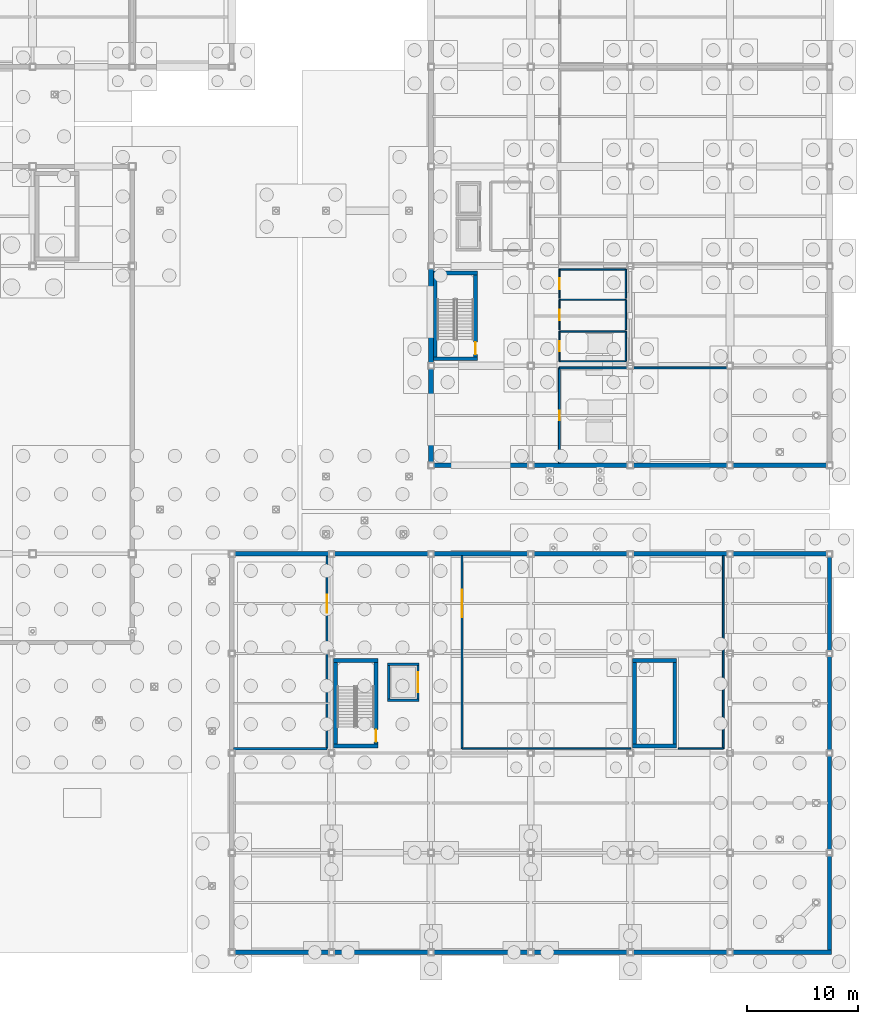
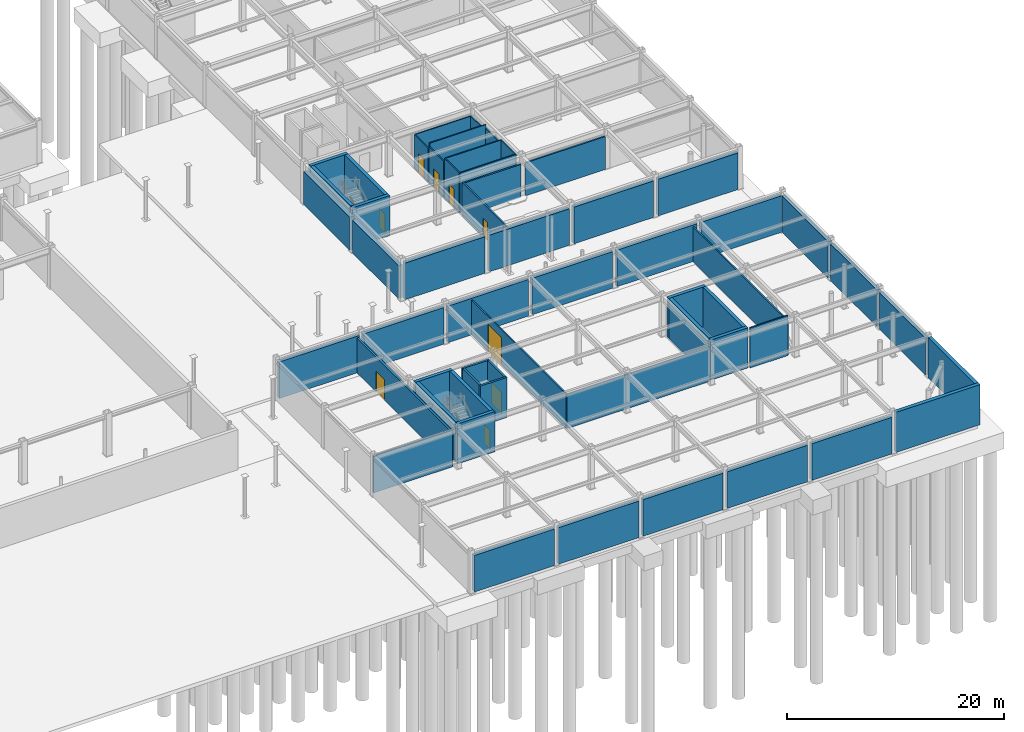
# One storey, part 56 of 74: 57 walls, 9 doors, 9 openings.
"""IFC4 building model written with IfcOpenShell, lengths in metres."""

from ifc_helpers import new_model, si_unit, direction, frame, frame_2d, origin, place, context, subcontext, project, spatial, rectangle, extrude, material, layer, layer_set, type_object, element, fill, save


model = new_model("IFC4")

# Units and contexts
model_context = context("Model", 3, precision=1e-05, world=origin(), true_north=direction((0.0, 1.0)))
body_context = subcontext(model_context, "Body", "Model", "MODEL_VIEW")
ifc_project = project(units=[si_unit("LENGTHUNIT", "METRE"), si_unit("AREAUNIT", "SQUARE_METRE"), si_unit("VOLUMEUNIT", "CUBIC_METRE"), si_unit("PLANEANGLEUNIT", "RADIAN"), si_unit("MASSUNIT", "GRAM", prefix="KILO")], contexts=[model_context])

# Site, building, storey
site_placement = place(None, origin())
site = spatial("IfcSite", under=ifc_project, at=site_placement, CompositionType="ELEMENT")
building_placement = place(site_placement, origin())
building = spatial("IfcBuilding", under=site, at=building_placement, Name="Suzunagisa Mobility Hub", CompositionType="ELEMENT")
storey_placement = place(building_placement, frame((0.0, 0.0, -4.800048828125)))
storey = spatial("IfcBuildingStorey", under=building, at=storey_placement, Name="B1", CompositionType="ELEMENT", Elevation=-4.800048828125)

# Walls
ifc_material_1 = material(Name="Concrete C35/45", Category="concrete")
ifc_layer_1 = layer(ifc_material_1, 0.419921875)
ifc_layer_set_1 = layer_set([ifc_layer_1], Name="Concrete C35/45")
wall_type_1 = type_object("IfcWallType", Name="Exterior Wall EW-02 420mm", PredefinedType="USERDEFINED", material=ifc_layer_set_1)
for number, where, z_axis, x_axis, name in (
    (1, (144.25, 44.0, 0.0), (0.0, 0.0, 1.0), (1.0, 0.0, 0.0), "B1 Perimeter Retaining Wall RW-325"),
    (2, (153.25, 44.0, 0.0), (0.0, 0.0, 1.0), (1.0, 0.0, 0.0), "B1 Perimeter Retaining Wall RW-326"),
    (3, (162.25, 44.0, 0.0), (0.0, 0.0, 1.0), (1.0, 0.0, 0.0), "B1 Perimeter Retaining Wall RW-327"),
    (4, (171.25, 44.0, 0.0), (0.0, 0.0, 1.0), (1.0, 0.0, 0.0), "B1 Perimeter Retaining Wall RW-328"),
):
    element("IfcWall", number, at=place(storey_placement, frame(where, z_axis=z_axis, x_axis=x_axis)), inside=storey, type_object=wall_type_1, Name=name, ObjectType="RETAINING WALL", PredefinedType="USERDEFINED", context=body_context, shape_type="SweptSolid", body=[
        extrude(rectangle(XDim=8.5, YDim=0.419921875, at=frame_2d((4.25, 0.0))), origin(), (0.0, 0.0, 1.0), 4.130126953125),
    ])
for number, where, z_axis, x_axis, name in (
    (5, (144.0, 61.75, 0.0), (0.0, 0.0, 1.0), (0.0, -1.0, 0.0), "B1 Perimeter Retaining Wall RW-345"),
    (6, (144.0, 52.75, 0.0), (0.0, 0.0, 1.0), (0.0, -1.0, 0.0), "B1 Perimeter Retaining Wall RW-346"),
):
    element("IfcWall", number, at=place(storey_placement, frame(where, z_axis=z_axis, x_axis=x_axis)), inside=storey, type_object=wall_type_1, Name=name, ObjectType="RETAINING WALL", PredefinedType="USERDEFINED", context=body_context, shape_type="SweptSolid", body=[
        extrude(rectangle(XDim=8.5, YDim=0.419921875, at=frame_2d((4.25, 0.0))), origin(), (0.0, 0.0, 1.0), 3.719970703125),
    ])
ifc_layer_2 = layer(ifc_material_1, 0.3798828125)
ifc_layer_set_2 = layer_set([ifc_layer_2], Name="Concrete C35/45")
wall_type_2 = type_object("IfcWallType", Name="Exterior Wall EW-06 380mm", PredefinedType="USERDEFINED", material=ifc_layer_set_2)
for number, where, z_axis, x_axis, name in (
    (7, (126.22509765625, 0.0, 0.0), (0.0, 0.0, 1.0), (1.0, 0.0, 0.0), "B1 Perimeter Retaining Wall RW-262"),
    (8, (135.22509765625, 0.0, 0.0), (0.0, 0.0, 1.0), (1.0, 0.0, 0.0), "B1 Perimeter Retaining Wall RW-263"),
    (9, (144.22509765625, 0.0, 0.0), (0.0, 0.0, 1.0), (1.0, 0.0, 0.0), "B1 Perimeter Retaining Wall RW-264"),
    (10, (153.22509765625, 0.0, 0.0), (0.0, 0.0, 1.0), (1.0, 0.0, 0.0), "B1 Perimeter Retaining Wall RW-265"),
    (11, (162.22509765625, 0.0, 0.0), (0.0, 0.0, 1.0), (1.0, 0.0, 0.0), "B1 Perimeter Retaining Wall RW-266"),
):
    element("IfcWall", number, at=place(storey_placement, frame(where, z_axis=z_axis, x_axis=x_axis)), inside=storey, type_object=wall_type_2, Name=name, ObjectType="RETAINING WALL", PredefinedType="USERDEFINED", context=body_context, shape_type="SweptSolid", body=[
        extrude(rectangle(XDim=8.5498046875, YDim=0.3798828125, at=frame_2d((4.27490234375, 0.0))), origin(), (0.0, 0.0, 1.0), 4.130126953125),
    ])
wall_1_placement = place(storey_placement, frame((171.22509765625, 0.0, 0.0), z_axis=(0.0, 0.0, 1.0), x_axis=(1.0, 0.0, 0.0)))
element("IfcWall", 12, at=wall_1_placement, inside=storey, type_object=wall_type_2, Name="B1 Perimeter Retaining Wall RW-267", ObjectType="RETAINING WALL", PredefinedType="USERDEFINED", context=body_context, shape_type="SweptSolid", body=[
    extrude(rectangle(XDim=8.96484375, YDim=0.3798828125, at=frame_2d((4.482421875, 0.0))), origin(), (0.0, 0.0, 1.0), 4.52001953125),
])
wall_2_placement = place(storey_placement, frame((180.0, 0.18994140625, 0.0), z_axis=(0.0, 0.0, 1.0), x_axis=(0.0, 1.0, 0.0)))
element("IfcWall", 13, at=wall_2_placement, inside=storey, type_object=wall_type_2, Name="B1 Perimeter Retaining Wall RW-268", ObjectType="RETAINING WALL", PredefinedType="USERDEFINED", context=body_context, shape_type="SweptSolid", body=[
    extrude(rectangle(XDim=8.5849609375, YDim=0.3798828125, at=frame_2d((4.29248046875, 0.0))), origin(), (0.0, 0.0, 1.0), 4.52001953125),
])
for number, where, z_axis, x_axis, name in (
    (14, (180.0, 9.22509765625, 0.0), (0.0, 0.0, 1.0), (0.0, 1.0, 0.0), "B1 Perimeter Retaining Wall RW-269"),
    (15, (180.0, 18.22509765625, 0.0), (0.0, 0.0, 1.0), (0.0, 1.0, 0.0), "B1 Perimeter Retaining Wall RW-270"),
    (16, (180.0, 27.22509765625, 0.0), (0.0, 0.0, 1.0), (0.0, 1.0, 0.0), "B1 Perimeter Retaining Wall RW-271"),
    (17, (179.77490234375, 36.0, 0.0), (0.0, 0.0, 1.0), (-1.0, 0.0, 0.0), "B1 Perimeter Retaining Wall RW-272"),
    (18, (170.77490234375, 36.0, 0.0), (0.0, 0.0, 1.0), (-1.0, 0.0, 0.0), "B1 Perimeter Retaining Wall RW-273"),
    (19, (161.77490234375, 36.0, 0.0), (0.0, 0.0, 1.0), (-1.0, 0.0, 0.0), "B1 Perimeter Retaining Wall RW-274"),
    (20, (152.77490234375, 36.0, 0.0), (0.0, 0.0, 1.0), (-1.0, 0.0, 0.0), "B1 Perimeter Retaining Wall RW-275"),
    (21, (143.77490234375, 36.0, 0.0), (0.0, 0.0, 1.0), (-1.0, 0.0, 0.0), "B1 Perimeter Retaining Wall RW-276"),
    (22, (134.77490234375, 36.0, 0.0), (0.0, 0.0, 1.0), (-1.0, 0.0, 0.0), "B1 Perimeter Retaining Wall RW-277"),
):
    element("IfcWall", number, at=place(storey_placement, frame(where, z_axis=z_axis, x_axis=x_axis)), inside=storey, type_object=wall_type_2, Name=name, ObjectType="RETAINING WALL", PredefinedType="USERDEFINED", context=body_context, shape_type="SweptSolid", body=[
        extrude(rectangle(XDim=8.5498046875, YDim=0.3798828125, at=frame_2d((4.27490234375, 0.0))), origin(), (0.0, 0.0, 1.0), 4.130126953125),
    ])
ifc_material_2 = material(Name="Moisture-Resistant Gypsum Partition", Category="gypsum")
ifc_layer_3 = layer(ifc_material_2, 0.1201171875)
ifc_layer_set_3 = layer_set([ifc_layer_3], Name="Moisture-Resistant Gypsum Partition")
wall_type_3 = type_object("IfcWallType", Name="Interior Wall IW-02 120mm", PredefinedType="PARTITIONING", material=ifc_layer_set_3)
for number, where, z_axis, x_axis, name in (
    (23, (155.60009765625, 53.39990234375, 0.0), (0.0, 0.0, 1.0), (1.0, 0.0, 0.0), "B1 Male Restroom WC B1 Partition PW-565"),
    (24, (155.60009765625, 56.10009765625, 0.0), (0.0, 0.0, 1.0), (1.0, 0.0, 0.0), "B1 Male Restroom WC B1 Partition PW-566"),
):
    element("IfcWall", number, at=place(storey_placement, frame(where, z_axis=z_axis, x_axis=x_axis)), inside=storey, type_object=wall_type_3, Name=name, PredefinedType="PARTITIONING", context=body_context, shape_type="SweptSolid", body=[
        extrude(rectangle(XDim=6.0, YDim=0.1201171875, at=frame_2d((3.0, 0.0))), origin(), (0.0, 0.0, 1.0), 4.52001953125),
    ])

# Wall, opening, door
wall_3_placement = place(storey_placement, frame((155.60009765625, 53.39990234375, 0.0), z_axis=(0.0, 0.0, 1.0), x_axis=(0.0, 1.0, 0.0)))
wall_3 = element("IfcWall", 25, at=wall_3_placement, inside=storey, type_object=wall_type_3, Name="B1 Male Restroom WC B1 Partition PW-567", PredefinedType="PARTITIONING", context=body_context, shape_type="SweptSolid", body=[
    extrude(rectangle(XDim=2.7001953125, YDim=0.1201171875, at=frame_2d((1.35009765625, 0.0))), origin(), (0.0, 0.0, 1.0), 4.52001953125),
])
opening_1_placement = place(wall_3_placement, frame((0.889892578125, 0.0, 0.0)))
opening_1 = element("IfcOpeningElement", 26, at=opening_1_placement, cuts=wall_3, Name="Opening DR-02", PredefinedType="OPENING", context=body_context, shape_type="SweptSolid", body=[
    extrude(rectangle(XDim=0.919921875, YDim=2.10009765625, at=frame_2d((0.4599609375, 1.050048828125))), frame((0.0, 0.071044921875, 0.0), z_axis=(0.0, -1.0, 0.0), x_axis=(1.0, 0.0, 0.0)), (0.0, 0.0, 1.0), 0.14208984375),
])
ifc_material_3 = material(Name="Sanitary Restroom Laminate Door")
door_type_1 = type_object("IfcDoorType", Name="Interior Door DR-02 920x2100", OperationType="SINGLE_SWING_LEFT", PredefinedType="DOOR", material=ifc_material_3)
door_1_placement = place(opening_1_placement, origin())
door_1 = element("IfcDoor", 27, at=door_1_placement, inside=storey, type_object=door_type_1, Name="B1 Male Restroom WC B1 Door DR-137", OperationType="SINGLE_SWING_RIGHT", OverallHeight=2.10009765625, OverallWidth=0.919921875, PredefinedType="DOOR", context=body_context, shape_type="SweptSolid", body=[
    extrude(rectangle(XDim=0.919921875, YDim=2.10009765625, at=frame_2d((0.4599609375, 1.050048828125))), frame((0.0, 0.02490234375, 0.0), z_axis=(0.0, -1.0, 0.0), x_axis=(1.0, 0.0, 0.0)), (0.0, 0.0, 1.0), 0.050048828125),
])
fill(opening_1, door_1)

# Walls
wall_4_placement = place(storey_placement, frame((161.60009765625, 53.39990234375, 0.0), z_axis=(0.0, 0.0, 1.0), x_axis=(0.0, 1.0, 0.0)))
element("IfcWall", 28, at=wall_4_placement, inside=storey, type_object=wall_type_3, Name="B1 Male Restroom WC B1 Partition PW-568", PredefinedType="PARTITIONING", context=body_context, shape_type="SweptSolid", body=[
    extrude(rectangle(XDim=2.7001953125, YDim=0.1201171875, at=frame_2d((1.35009765625, 0.0))), origin(), (0.0, 0.0, 1.0), 4.52001953125),
])
wall_5_placement = place(storey_placement, frame((155.60009765625, 58.949951171875, 0.0), z_axis=(0.0, 0.0, 1.0), x_axis=(1.0, 0.0, 0.0)))
element("IfcWall", 29, at=wall_5_placement, inside=storey, type_object=wall_type_3, Name="B1 Female Restroom WC B1 Partition PW-569", PredefinedType="PARTITIONING", context=body_context, shape_type="SweptSolid", body=[
    extrude(rectangle(XDim=6.0, YDim=0.1201171875, at=frame_2d((3.0, 0.0))), origin(), (0.0, 0.0, 1.0), 4.52001953125),
])

# Wall, opening, door
wall_6_placement = place(storey_placement, frame((155.60009765625, 56.25, 0.0), z_axis=(0.0, 0.0, 1.0), x_axis=(0.0, 1.0, 0.0)))
wall_6 = element("IfcWall", 30, at=wall_6_placement, inside=storey, type_object=wall_type_3, Name="B1 Female Restroom WC B1 Partition PW-570", PredefinedType="PARTITIONING", context=body_context, shape_type="SweptSolid", body=[
    extrude(rectangle(XDim=2.699951171875, YDim=0.1201171875, at=frame_2d((1.35009765625, 0.0))), origin(), (0.0, 0.0, 1.0), 4.1201171875),
])
opening_2_placement = place(wall_6_placement, frame((0.875, 0.0, 0.0)))
opening_2 = element("IfcOpeningElement", 31, at=opening_2_placement, cuts=wall_6, Name="Opening DR-19", PredefinedType="OPENING", context=body_context, shape_type="SweptSolid", body=[
    extrude(rectangle(XDim=0.949951171875, YDim=2.14990234375, at=frame_2d((0.47509765625, 1.074951171875))), frame((0.0, 0.071044921875, 0.0), z_axis=(0.0, -1.0, 0.0), x_axis=(1.0, 0.0, 0.0)), (0.0, 0.0, 1.0), 0.14208984375),
])
ifc_material_4 = material(Name="Sanitary Restroom Acoustic Door")
door_type_2 = type_object("IfcDoorType", Name="Interior Door DR-19 950x2150", OperationType="SINGLE_SWING_LEFT", PredefinedType="DOOR", material=ifc_material_4)
door_2_placement = place(opening_2_placement, origin())
door_2 = element("IfcDoor", 32, at=door_2_placement, inside=storey, type_object=door_type_2, Name="B1 Female Restroom WC B1 Door DR-138", OperationType="SINGLE_SWING_LEFT", OverallHeight=2.14990234375, OverallWidth=0.949951171875, PredefinedType="DOOR", context=body_context, shape_type="SweptSolid", body=[
    extrude(rectangle(XDim=0.949951171875, YDim=2.14990234375, at=frame_2d((0.47509765625, 1.074951171875))), frame((0.0, 0.02490234375, 0.0), z_axis=(0.0, -1.0, 0.0), x_axis=(1.0, 0.0, 0.0)), (0.0, 0.0, 1.0), 0.050048828125),
])
fill(opening_2, door_2)

# Walls
wall_7_placement = place(storey_placement, frame((161.60009765625, 56.25, 0.0), z_axis=(0.0, 0.0, 1.0), x_axis=(0.0, 1.0, 0.0)))
element("IfcWall", 33, at=wall_7_placement, inside=storey, type_object=wall_type_3, Name="B1 Female Restroom WC B1 Partition PW-571", PredefinedType="PARTITIONING", context=body_context, shape_type="SweptSolid", body=[
    extrude(rectangle(XDim=2.699951171875, YDim=0.1201171875, at=frame_2d((1.35009765625, 0.0))), origin(), (0.0, 0.0, 1.0), 4.1201171875),
])
wall_8_placement = place(storey_placement, frame((155.60009765625, 61.699951171875, 0.0), z_axis=(0.0, 0.0, 1.0), x_axis=(1.0, 0.0, 0.0)))
element("IfcWall", 34, at=wall_8_placement, inside=storey, type_object=wall_type_3, Name="B1 Accessible Restroom WC B1 Partition PW-572", PredefinedType="PARTITIONING", context=body_context, shape_type="SweptSolid", body=[
    extrude(rectangle(XDim=6.0, YDim=0.1201171875, at=frame_2d((3.0, 0.0))), origin(), (0.0, 0.0, 1.0), 3.820068359375),
])

# Wall, opening, door
wall_9_placement = place(storey_placement, frame((155.60009765625, 59.10009765625, 0.0), z_axis=(0.0, 0.0, 1.0), x_axis=(0.0, 1.0, 0.0)))
wall_9 = element("IfcWall", 35, at=wall_9_placement, inside=storey, type_object=wall_type_3, Name="B1 Accessible Restroom WC B1 Partition PW-573", PredefinedType="PARTITIONING", context=body_context, shape_type="SweptSolid", body=[
    extrude(rectangle(XDim=2.599853515625, YDim=0.1201171875, at=frame_2d((1.2998046875, 0.0))), origin(), (0.0, 0.0, 1.0), 3.820068359375),
])
opening_3_placement = place(wall_9_placement, frame((0.800048828125, 0.0, 0.0)))
opening_3 = element("IfcOpeningElement", 36, at=opening_3_placement, cuts=wall_9, Name="Opening DR-01", PredefinedType="OPENING", context=body_context, shape_type="SweptSolid", body=[
    extrude(rectangle(XDim=1.0, YDim=2.14990234375, at=frame_2d((0.5, 1.074951171875))), frame((0.0, 0.071044921875, 0.0), z_axis=(0.0, -1.0, 0.0), x_axis=(1.0, 0.0, 0.0)), (0.0, 0.0, 1.0), 0.14208984375),
])
ifc_material_5 = material(Name="Barrier-Free Accessible WC Door")
door_type_3 = type_object("IfcDoorType", Name="Interior Door DR-01 1000x2150", OperationType="SINGLE_SWING_LEFT", PredefinedType="DOOR", material=ifc_material_5)
door_3_placement = place(opening_3_placement, origin())
door_3 = element("IfcDoor", 37, at=door_3_placement, inside=storey, type_object=door_type_3, Name="B1 Accessible Restroom WC B1 Door DR-139", OperationType="SINGLE_SWING_RIGHT", OverallHeight=2.14990234375, OverallWidth=1.0, PredefinedType="DOOR", context=body_context, shape_type="SweptSolid", body=[
    extrude(rectangle(XDim=1.0, YDim=2.14990234375, at=frame_2d((0.5, 1.074951171875))), frame((0.0, 0.02490234375, 0.0), z_axis=(0.0, -1.0, 0.0), x_axis=(1.0, 0.0, 0.0)), (0.0, 0.0, 1.0), 0.050048828125),
])
fill(opening_3, door_3)

# Wall
wall_10_placement = place(storey_placement, frame((161.60009765625, 59.10009765625, 0.0), z_axis=(0.0, 0.0, 1.0), x_axis=(0.0, 1.0, 0.0)))
element("IfcWall", 38, at=wall_10_placement, inside=storey, type_object=wall_type_3, Name="B1 Accessible Restroom WC B1 Partition PW-574", PredefinedType="PARTITIONING", context=body_context, shape_type="SweptSolid", body=[
    extrude(rectangle(XDim=2.599853515625, YDim=0.1201171875, at=frame_2d((1.2998046875, 0.0))), origin(), (0.0, 0.0, 1.0), 3.820068359375),
])

# Wall, opening, door
ifc_material_6 = material(Name="Fire-Rated Gypsum Stud Partition", Category="gypsum")
ifc_layer_4 = layer(ifc_material_6, 0.2099609375)
ifc_layer_set_4 = layer_set([ifc_layer_4], Name="Fire-Rated Gypsum Stud Partition")
wall_type_4 = type_object("IfcWallType", Name="Interior Wall IW-03 210mm", PredefinedType="PARTITIONING", material=ifc_layer_set_4)
wall_11_placement = place(storey_placement, frame((142.824951171875, 22.8798828125, 0.0), z_axis=(0.0, 0.0, 1.0), x_axis=(0.0, 1.0, 0.0)))
wall_11 = element("IfcWall", 39, at=wall_11_placement, inside=storey, type_object=wall_type_4, Name="B1 Lift LF-08 Shaft Front Wall", PredefinedType="PARTITIONING", context=body_context, shape_type="SweptSolid", body=[
    extrude(rectangle(XDim=3.0400390625, YDim=0.2099609375, at=frame_2d((1.52001953125, 0.0))), origin(), (0.0, 0.0, 1.0), 4.52001953125),
])
opening_4_placement = place(wall_11_placement, frame((0.6201171875, 0.0, 0.0)))
opening_4 = element("IfcOpeningElement", 40, at=opening_4_placement, cuts=wall_11, Name="Opening LD-04", PredefinedType="OPENING", context=body_context, shape_type="SweptSolid", body=[
    extrude(rectangle(XDim=1.800048828125, YDim=2.39990234375, at=frame_2d((0.89990234375, 1.199951171875))), frame((0.0, 0.115966796875, 0.0), z_axis=(0.0, -1.0, 0.0), x_axis=(1.0, 0.0, 0.0)), (0.0, 0.0, 1.0), 0.23193359375),
])
ifc_material_7 = material(Name="Brushed Stainless Steel SUS304", Category="metal")
door_type_4 = type_object("IfcDoorType", Name="Lift Landing Sliding Door LD-04 1800x2400", OperationType="SLIDING_TO_LEFT", PredefinedType="DOOR", material=ifc_material_7)
door_4_placement = place(opening_4_placement, origin())
door_4 = element("IfcDoor", 41, at=door_4_placement, inside=storey, type_object=door_type_4, Name="B1 Lift LF-08 Sliding Landing Door", OperationType="SLIDING_TO_LEFT", OverallHeight=2.39990234375, OverallWidth=1.800048828125, PredefinedType="DOOR", context=body_context, shape_type="SweptSolid", body=[
    extrude(rectangle(XDim=1.800048828125, YDim=2.39990234375, at=frame_2d((0.89990234375, 1.199951171875))), frame((0.0, 0.02490234375, 0.0), z_axis=(0.0, -1.0, 0.0), x_axis=(1.0, 0.0, 0.0)), (0.0, 0.0, 1.0), 0.050048828125),
])
fill(opening_4, door_4)

# Walls
wall_12_placement = place(storey_placement, frame((140.175048828125, 22.8798828125, 0.0), z_axis=(0.0, 0.0, 1.0), x_axis=(0.0, 1.0, 0.0)))
element("IfcWall", 42, at=wall_12_placement, inside=storey, type_object=wall_type_4, Name="B1 Lift LF-08 Shaft Back Wall", PredefinedType="PARTITIONING", context=body_context, shape_type="SweptSolid", body=[
    extrude(rectangle(XDim=3.0400390625, YDim=0.2099609375, at=frame_2d((1.52001953125, 0.0))), origin(), (0.0, 0.0, 1.0), 4.52001953125),
])
for number, where, z_axis, x_axis, name in (
    (43, (140.070068359375, 22.77490234375, 0.0), (0.0, 0.0, 1.0), (1.0, 0.0, 0.0), "B1 Lift LF-08 Shaft South Wall"),
    (44, (140.070068359375, 26.02490234375, 0.0), (0.0, 0.0, 1.0), (1.0, 0.0, 0.0), "B1 Lift LF-08 Shaft North Wall"),
):
    element("IfcWall", number, at=place(storey_placement, frame(where, z_axis=z_axis, x_axis=x_axis)), inside=storey, type_object=wall_type_4, Name=name, PredefinedType="PARTITIONING", context=body_context, shape_type="SweptSolid", body=[
        extrude(rectangle(XDim=2.85986328125, YDim=0.2099609375, at=frame_2d((1.429931640625, 0.0))), origin(), (0.0, 0.0, 1.0), 4.52001953125),
    ])
wall_13_placement = place(storey_placement, frame((126.1650390625, 18.39990234375, 0.0), z_axis=(0.0, 0.0, 1.0), x_axis=(1.0, 0.0, 0.0)))
element("IfcWall", 45, at=wall_13_placement, inside=storey, type_object=wall_type_4, Name="B1 High-Voltage Traction and EV Charger Substation Partition PW-684", PredefinedType="PARTITIONING", context=body_context, shape_type="SweptSolid", body=[
    extrude(rectangle(XDim=8.43505859375, YDim=0.2099609375, at=frame_2d((4.217529296875, 0.0))), origin(), (0.0, 0.0, 1.0), 4.130126953125),
])

# Wall, opening, door
wall_14_placement = place(storey_placement, frame((134.60009765625, 18.39990234375, 0.0), z_axis=(0.0, 0.0, 1.0), x_axis=(0.0, 1.0, 0.0)))
wall_14 = element("IfcWall", 46, at=wall_14_placement, inside=storey, type_object=wall_type_4, Name="B1 High-Voltage Traction and EV Charger Substation Partition PW-685", PredefinedType="PARTITIONING", context=body_context, shape_type="SweptSolid", body=[
    extrude(rectangle(XDim=17.43505859375, YDim=0.2099609375, at=frame_2d((8.717529296875, 0.0))), origin(), (0.0, 0.0, 1.0), 3.920166015625),
])
opening_5_placement = place(wall_14_placement, frame((12.300048828125, 0.0, 0.0)))
opening_5 = element("IfcOpeningElement", 47, at=opening_5_placement, cuts=wall_14, Name="Opening DR-26", PredefinedType="OPENING", context=body_context, shape_type="SweptSolid", body=[
    extrude(rectangle(XDim=1.60009765625, YDim=2.300048828125, at=frame_2d((0.800048828125, 1.14990234375))), frame((0.0, 0.115966796875, 0.0), z_axis=(0.0, -1.0, 0.0), x_axis=(1.0, 0.0, 0.0)), (0.0, 0.0, 1.0), 0.23193359375),
])
ifc_material_8 = material(Name="Heavy Plant Double Steel Fire Door", Category="steel")
door_type_5 = type_object("IfcDoorType", Name="Interior Door DR-26 1600x2300", OperationType="SINGLE_SWING_LEFT", PredefinedType="DOOR", material=ifc_material_8)
door_5_placement = place(opening_5_placement, origin())
door_5 = element("IfcDoor", 48, at=door_5_placement, inside=storey, type_object=door_type_5, Name="B1 High-Voltage Traction and EV Charger Substation Door DR-173", OperationType="SINGLE_SWING_RIGHT", OverallHeight=2.300048828125, OverallWidth=1.60009765625, PredefinedType="DOOR", context=body_context, shape_type="SweptSolid", body=[
    extrude(rectangle(XDim=1.60009765625, YDim=2.300048828125, at=frame_2d((0.800048828125, 1.14990234375))), frame((0.0, 0.02490234375, 0.0), z_axis=(0.0, -1.0, 0.0), x_axis=(1.0, 0.0, 0.0)), (0.0, 0.0, 1.0), 0.050048828125),
])
fill(opening_5, door_5)

# Walls
ifc_layer_5 = layer(ifc_material_1, 0.35009765625)
ifc_layer_set_5 = layer_set([ifc_layer_5], Name="Concrete C35/45")
wall_type_5 = type_object("IfcWallType", Name="Interior Wall IW-04 350mm", PredefinedType="SHEAR", material=ifc_layer_set_5)
for number, where, z_axis, x_axis, name in (
    (49, (135.2099609375, 18.625, 0.0), (0.0, 0.0, 1.0), (1.0, 0.0, 0.0), "B1 Core C7 Shear Wall SW-301"),
    (50, (135.2099609375, 26.375, 0.0), (0.0, 0.0, 1.0), (1.0, 0.0, 0.0), "B1 Core C7 Shear Wall SW-302"),
):
    element("IfcWall", number, at=place(storey_placement, frame(where, z_axis=z_axis, x_axis=x_axis)), inside=storey, type_object=wall_type_5, Name=name, PredefinedType="SHEAR", context=body_context, shape_type="SweptSolid", body=[
        extrude(rectangle(XDim=3.97998046875, YDim=0.35009765625, at=frame_2d((1.989990234375, 0.0))), origin(), (0.0, 0.0, 1.0), 4.52001953125),
    ])
wall_15_placement = place(storey_placement, frame((135.385009765625, 18.800048828125, 0.0), z_axis=(0.0, 0.0, 1.0), x_axis=(0.0, 1.0, 0.0)))
element("IfcWall", 51, at=wall_15_placement, inside=storey, type_object=wall_type_5, Name="B1 Core C7 Shear Wall SW-303", PredefinedType="SHEAR", context=body_context, shape_type="SweptSolid", body=[
    extrude(rectangle(XDim=7.39990234375, YDim=0.35009765625, at=frame_2d((3.699951171875, 0.0))), origin(), (0.0, 0.0, 1.0), 4.52001953125),
])

# Wall, opening, door
wall_16_placement = place(storey_placement, frame((139.014892578125, 18.800048828125, 0.0), z_axis=(0.0, 0.0, 1.0), x_axis=(0.0, 1.0, 0.0)))
wall_16 = element("IfcWall", 52, at=wall_16_placement, inside=storey, type_object=wall_type_5, Name="B1 Core C7 Shear Wall SW-304", PredefinedType="SHEAR", context=body_context, shape_type="SweptSolid", body=[
    extrude(rectangle(XDim=7.39990234375, YDim=0.35009765625, at=frame_2d((3.699951171875, 0.0))), origin(), (0.0, 0.0, 1.0), 4.52001953125),
])
opening_6_placement = place(wall_16_placement, frame((0.219970703125, 0.0, 0.0)))
opening_6 = element("IfcOpeningElement", 53, at=opening_6_placement, cuts=wall_16, Name="Opening DR-05", PredefinedType="OPENING", context=body_context, shape_type="SweptSolid", body=[
    extrude(rectangle(XDim=1.10009765625, YDim=2.14990234375, at=frame_2d((0.550048828125, 1.074951171875))), frame((0.0, 0.18603515625, 0.0), z_axis=(0.0, -1.0, 0.0), x_axis=(1.0, 0.0, 0.0)), (0.0, 0.0, 1.0), 0.3720703125),
])
ifc_material_9 = material(Name="Fire-Rated Hollow Steel Stair Door", Category="steel")
door_type_6 = type_object("IfcDoorType", Name="Interior Door DR-05 1100x2150", OperationType="SINGLE_SWING_LEFT", PredefinedType="DOOR", material=ifc_material_9)
door_6_placement = place(opening_6_placement, origin())
door_6 = element("IfcDoor", 54, at=door_6_placement, inside=storey, type_object=door_type_6, Name="B1 Core C7 Escape Stair Fire Door SD-74", OperationType="SINGLE_SWING_RIGHT", OverallHeight=2.14990234375, OverallWidth=1.10009765625, PredefinedType="DOOR", context=body_context, shape_type="SweptSolid", body=[
    extrude(rectangle(XDim=1.10009765625, YDim=2.14990234375, at=frame_2d((0.550048828125, 1.074951171875))), frame((0.0, 0.02490234375, 0.0), z_axis=(0.0, -1.0, 0.0), x_axis=(1.0, 0.0, 0.0)), (0.0, 0.0, 1.0), 0.050048828125),
])
fill(opening_6, door_6)

# Walls
for number, where, z_axis, x_axis, name in (
    (55, (162.2099609375, 18.625, 0.0), (0.0, 0.0, 1.0), (1.0, 0.0, 0.0), "B1 Core C7B Foundation Shear Wall SW-345"),
    (56, (162.2099609375, 26.375, 0.0), (0.0, 0.0, 1.0), (1.0, 0.0, 0.0), "B1 Core C7B Foundation Shear Wall SW-346"),
):
    element("IfcWall", number, at=place(storey_placement, frame(where, z_axis=z_axis, x_axis=x_axis)), inside=storey, type_object=wall_type_5, Name=name, PredefinedType="SHEAR", context=body_context, shape_type="SweptSolid", body=[
        extrude(rectangle(XDim=3.97998046875, YDim=0.35009765625, at=frame_2d((1.989990234375, 0.0))), origin(), (0.0, 0.0, 1.0), 4.52001953125),
    ])
for number, where, z_axis, x_axis, name in (
    (57, (162.385009765625, 18.800048828125, 0.0), (0.0, 0.0, 1.0), (0.0, 1.0, 0.0), "B1 Core C7B Foundation Shear Wall SW-347"),
    (58, (166.014892578125, 18.800048828125, 0.0), (0.0, 0.0, 1.0), (0.0, 1.0, 0.0), "B1 Core C7B Foundation Shear Wall SW-348"),
):
    element("IfcWall", number, at=place(storey_placement, frame(where, z_axis=z_axis, x_axis=x_axis)), inside=storey, type_object=wall_type_5, Name=name, PredefinedType="SHEAR", context=body_context, shape_type="SweptSolid", body=[
        extrude(rectangle(XDim=7.39990234375, YDim=0.35009765625, at=frame_2d((3.699951171875, 0.0))), origin(), (0.0, 0.0, 1.0), 4.52001953125),
    ])
for number, where, z_axis, x_axis, name in (
    (59, (144.2099609375, 53.625, 0.0), (0.0, 0.0, 1.0), (1.0, 0.0, 0.0), "B1 Core C5 Shear Wall SW-365"),
    (60, (144.2099609375, 61.375, 0.0), (0.0, 0.0, 1.0), (1.0, 0.0, 0.0), "B1 Core C5 Shear Wall SW-366"),
):
    element("IfcWall", number, at=place(storey_placement, frame(where, z_axis=z_axis, x_axis=x_axis)), inside=storey, type_object=wall_type_5, Name=name, PredefinedType="SHEAR", context=body_context, shape_type="SweptSolid", body=[
        extrude(rectangle(XDim=3.97998046875, YDim=0.35009765625, at=frame_2d((1.989990234375, 0.0))), origin(), (0.0, 0.0, 1.0), 4.52001953125),
    ])
wall_17_placement = place(storey_placement, frame((144.385009765625, 53.800048828125, 0.0), z_axis=(0.0, 0.0, 1.0), x_axis=(0.0, 1.0, 0.0)))
element("IfcWall", 61, at=wall_17_placement, inside=storey, type_object=wall_type_5, Name="B1 Core C5 Shear Wall SW-367", PredefinedType="SHEAR", context=body_context, shape_type="SweptSolid", body=[
    extrude(rectangle(XDim=7.39990234375, YDim=0.35009765625, at=frame_2d((3.699951171875, 0.0))), origin(), (0.0, 0.0, 1.0), 4.52001953125),
])

# Wall, opening, door
wall_18_placement = place(storey_placement, frame((148.014892578125, 53.800048828125, 0.0), z_axis=(0.0, 0.0, 1.0), x_axis=(0.0, 1.0, 0.0)))
wall_18 = element("IfcWall", 62, at=wall_18_placement, inside=storey, type_object=wall_type_5, Name="B1 Core C5 Shear Wall SW-368", PredefinedType="SHEAR", context=body_context, shape_type="SweptSolid", body=[
    extrude(rectangle(XDim=7.39990234375, YDim=0.35009765625, at=frame_2d((3.699951171875, 0.0))), origin(), (0.0, 0.0, 1.0), 4.52001953125),
])
opening_7_placement = place(wall_18_placement, frame((0.219970703125, 0.0, 0.0)))
opening_7 = element("IfcOpeningElement", 63, at=opening_7_placement, cuts=wall_18, Name="Opening DR-05", PredefinedType="OPENING", context=body_context, shape_type="SweptSolid", body=[
    extrude(rectangle(XDim=1.10009765625, YDim=2.14990234375, at=frame_2d((0.550048828125, 1.074951171875))), frame((0.0, 0.18603515625, 0.0), z_axis=(0.0, -1.0, 0.0), x_axis=(1.0, 0.0, 0.0)), (0.0, 0.0, 1.0), 0.3720703125),
])
door_7_placement = place(opening_7_placement, origin())
door_7 = element("IfcDoor", 64, at=door_7_placement, inside=storey, type_object=door_type_6, Name="B1 Core C5 Escape Stair Fire Door SD-89", OperationType="SINGLE_SWING_RIGHT", OverallHeight=2.14990234375, OverallWidth=1.10009765625, PredefinedType="DOOR", context=body_context, shape_type="SweptSolid", body=[
    extrude(rectangle(XDim=1.10009765625, YDim=2.14990234375, at=frame_2d((0.550048828125, 1.074951171875))), frame((0.0, 0.02490234375, 0.0), z_axis=(0.0, -1.0, 0.0), x_axis=(1.0, 0.0, 0.0)), (0.0, 0.0, 1.0), 0.050048828125),
])
fill(opening_7, door_7)

# Walls
ifc_layer_6 = layer(ifc_material_6, 0.169921875)
ifc_layer_set_6 = layer_set([ifc_layer_6], Name="Fire-Rated Gypsum Stud Partition")
wall_type_6 = type_object("IfcWallType", Name="Interior Wall IW-05 170mm", PredefinedType="PARTITIONING", material=ifc_layer_set_6)
wall_19_placement = place(storey_placement, frame((155.60009765625, 52.800048828125, 0.0), z_axis=(0.0, 0.0, 1.0), x_axis=(1.0, 0.0, 0.0)))
element("IfcWall", 65, at=wall_19_placement, inside=storey, type_object=wall_type_6, Name="B1 Facility Engineering Equipment Store B1 Partition PW-702", PredefinedType="PARTITIONING", context=body_context, shape_type="SweptSolid", body=[
    extrude(rectangle(XDim=6.14990234375, YDim=0.169921875, at=frame_2d((3.074951171875, 0.0))), origin(), (0.0, 0.0, 1.0), 3.719970703125),
])
wall_20_placement = place(storey_placement, frame((162.25, 52.800048828125, 0.0), z_axis=(0.0, 0.0, 1.0), x_axis=(1.0, 0.0, 0.0)))
element("IfcWall", 66, at=wall_20_placement, inside=storey, type_object=wall_type_6, Name="B1 Facility Engineering Equipment Store B1 Partition PW-703", PredefinedType="PARTITIONING", context=body_context, shape_type="SweptSolid", body=[
    extrude(rectangle(XDim=8.5, YDim=0.169921875, at=frame_2d((4.25, 0.0))), origin(), (0.0, 0.0, 1.0), 3.719970703125),
])

# Wall, opening, door
wall_21_placement = place(storey_placement, frame((155.60009765625, 44.1650390625, 0.0), z_axis=(0.0, 0.0, 1.0), x_axis=(0.0, 1.0, 0.0)))
wall_21 = element("IfcWall", 67, at=wall_21_placement, inside=storey, type_object=wall_type_6, Name="B1 Facility Engineering Equipment Store B1 Partition PW-705", PredefinedType="PARTITIONING", context=body_context, shape_type="SweptSolid", body=[
    extrude(rectangle(XDim=8.635009765625, YDim=0.169921875, at=frame_2d((4.3173828125, 0.0))), origin(), (0.0, 0.0, 1.0), 3.820068359375),
])
opening_8_placement = place(wall_21_placement, frame((3.885009765625, 0.0, 0.0)))
opening_8 = element("IfcOpeningElement", 68, at=opening_8_placement, cuts=wall_21, Name="Opening DR-27", PredefinedType="OPENING", context=body_context, shape_type="SweptSolid", body=[
    extrude(rectangle(XDim=0.89990234375, YDim=2.14990234375, at=frame_2d((0.449951171875, 1.074951171875))), frame((0.0, 0.095947265625, 0.0), z_axis=(0.0, -1.0, 0.0), x_axis=(1.0, 0.0, 0.0)), (0.0, 0.0, 1.0), 0.19189453125),
])
ifc_material_10 = material(Name="Anodized Aluminum Framed Acoustic Door", Category="aluminium")
door_type_7 = type_object("IfcDoorType", Name="Interior Door DR-27 900x2150", OperationType="SINGLE_SWING_LEFT", PredefinedType="DOOR", material=ifc_material_10)
door_8_placement = place(opening_8_placement, origin())
door_8 = element("IfcDoor", 69, at=door_8_placement, inside=storey, type_object=door_type_7, Name="B1 Facility Engineering Equipment Store B1 Door DR-177", OperationType="SINGLE_SWING_RIGHT", OverallHeight=2.14990234375, OverallWidth=0.89990234375, PredefinedType="DOOR", context=body_context, shape_type="SweptSolid", body=[
    extrude(rectangle(XDim=0.89990234375, YDim=2.14990234375, at=frame_2d((0.449951171875, 1.074951171875))), frame((0.0, 0.02490234375, 0.0), z_axis=(0.0, -1.0, 0.0), x_axis=(1.0, 0.0, 0.0)), (0.0, 0.0, 1.0), 0.050048828125),
])
fill(opening_8, door_8)

# Walls
ifc_material_11 = material(Name="Acoustic Steel-Stud Gypsum Partition", Category="steel")
ifc_layer_7 = layer(ifc_material_11, 0.14501953125)
ifc_layer_set_7 = layer_set([ifc_layer_7], Name="Acoustic Steel-Stud Gypsum Partition")
wall_type_7 = type_object("IfcWallType", Name="Interior Wall IW-06 145mm", PredefinedType="PARTITIONING", material=ifc_layer_set_7)
wall_22_placement = place(storey_placement, frame((146.800048828125, 18.39990234375, 0.0), z_axis=(0.0, 0.0, 1.0), x_axis=(1.0, 0.0, 0.0)))
element("IfcWall", 70, at=wall_22_placement, inside=storey, type_object=wall_type_7, Name="B1 Heavy Fleet Spare Parts Warehouse B1 Partition PW-686", PredefinedType="PARTITIONING", context=body_context, shape_type="SweptSolid", body=[
    extrude(rectangle(XDim=15.260009765625, YDim=0.14501953125, at=frame_2d((7.6298828125, 0.0))), origin(), (0.0, 0.0, 1.0), 3.8701171875),
])
wall_23_placement = place(storey_placement, frame((166.340087890625, 18.39990234375, 0.0), z_axis=(0.0, 0.0, 1.0), x_axis=(1.0, 0.0, 0.0)))
element("IfcWall", 71, at=wall_23_placement, inside=storey, type_object=wall_type_7, Name="B1 Heavy Fleet Spare Parts Warehouse B1 Partition PW-687", PredefinedType="PARTITIONING", context=body_context, shape_type="SweptSolid", body=[
    extrude(rectangle(XDim=4.059814453125, YDim=0.14501953125, at=frame_2d((2.02978515625, 0.0))), origin(), (0.0, 0.0, 1.0), 4.52001953125),
])

# Wall, opening, door
wall_24_placement = place(storey_placement, frame((146.800048828125, 18.39990234375, 0.0), z_axis=(0.0, 0.0, 1.0), x_axis=(0.0, 1.0, 0.0)))
wall_24 = element("IfcWall", 72, at=wall_24_placement, inside=storey, type_object=wall_type_7, Name="B1 Heavy Fleet Spare Parts Warehouse B1 Partition PW-688", PredefinedType="PARTITIONING", context=body_context, shape_type="SweptSolid", body=[
    extrude(rectangle(XDim=17.43505859375, YDim=0.14501953125, at=frame_2d((8.717529296875, 0.0))), origin(), (0.0, 0.0, 1.0), 3.920166015625),
])
opening_9_placement = place(wall_24_placement, frame((11.860107421875, 0.0, 0.0)))
opening_9 = element("IfcOpeningElement", 73, at=opening_9_placement, cuts=wall_24, Name="Opening DR-09", PredefinedType="OPENING", context=body_context, shape_type="SweptSolid", body=[
    extrude(rectangle(XDim=2.47998046875, YDim=3.02587890625, at=frame_2d((1.239990234375, 1.512939453125))), frame((0.0, 0.08349609375, 0.0), z_axis=(0.0, -1.0, 0.0), x_axis=(1.0, 0.0, 0.0)), (0.0, 0.0, 1.0), 0.1669921875),
])
ifc_material_12 = material(Name="Anodized Aluminum Double Workshop Door", Category="aluminium")
door_type_8 = type_object("IfcDoorType", Name="Interior Door DR-09 2480x3026", OperationType="SINGLE_SWING_LEFT", PredefinedType="DOOR", material=ifc_material_12)
door_9_placement = place(opening_9_placement, origin())
door_9 = element("IfcDoor", 74, at=door_9_placement, inside=storey, type_object=door_type_8, Name="B1 Heavy Fleet Spare Parts Warehouse B1 Door DR-174", OperationType="SINGLE_SWING_LEFT", OverallHeight=3.02587890625, OverallWidth=2.47998046875, PredefinedType="DOOR", context=body_context, shape_type="SweptSolid", body=[
    extrude(rectangle(XDim=2.47998046875, YDim=3.02587890625, at=frame_2d((1.239990234375, 1.512939453125))), frame((0.0, 0.02490234375, 0.0), z_axis=(0.0, -1.0, 0.0), x_axis=(1.0, 0.0, 0.0)), (0.0, 0.0, 1.0), 0.050048828125),
])
fill(opening_9, door_9)

# Wall
wall_25_placement = place(storey_placement, frame((170.39990234375, 18.39990234375, 0.0), z_axis=(0.0, 0.0, 1.0), x_axis=(0.0, 1.0, 0.0)))
element("IfcWall", 75, at=wall_25_placement, inside=storey, type_object=wall_type_7, Name="B1 Heavy Fleet Spare Parts Warehouse B1 Partition PW-689", PredefinedType="PARTITIONING", context=body_context, shape_type="SweptSolid", body=[
    extrude(rectangle(XDim=17.43505859375, YDim=0.14501953125, at=frame_2d((8.717529296875, 0.0))), origin(), (0.0, 0.0, 1.0), 3.920166015625),
])

save(model, "model.ifc")
